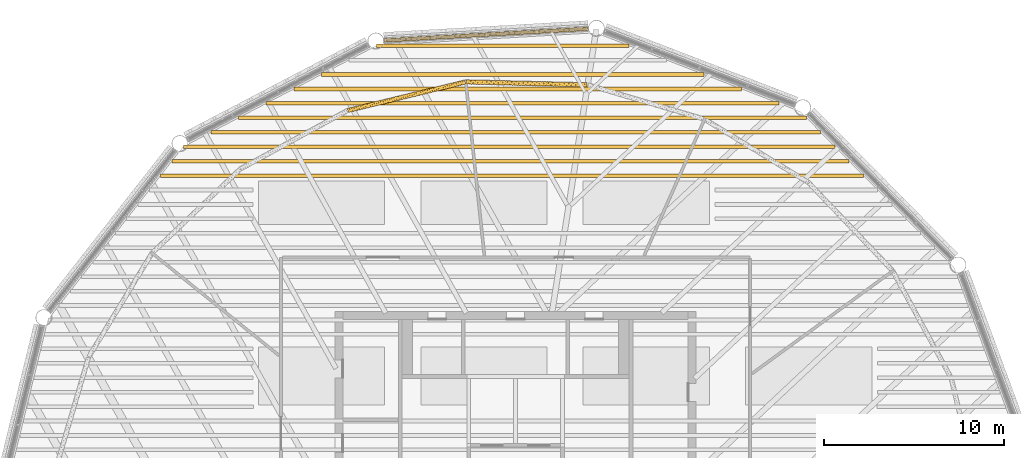
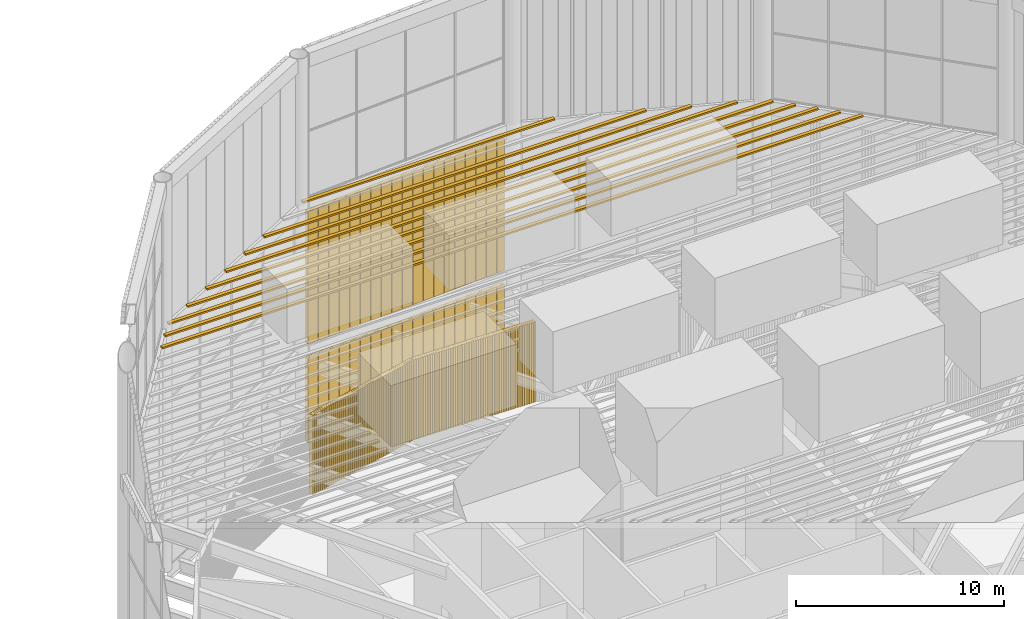
# One storey, part 105 of 117: 11 shading devices, 2 coverings.
"""IFC4 building model written with IfcOpenShell, lengths in metres."""

from ifc_helpers import new_model, si_unit, direction, frame, frame_2d, origin, origin_2d, place, context, subcontext, project, spatial, rectangle, composite_profile, extrude, material, type_object, element, save


model = new_model("IFC4")

# Units and contexts
model_context = context("Model", 3, precision=1e-05, world=origin(), true_north=direction((0.0, 1.0)))
body_context = subcontext(model_context, "Body", "Model", "MODEL_VIEW")
ifc_project = project(units=[si_unit("LENGTHUNIT", "METRE"), si_unit("AREAUNIT", "SQUARE_METRE"), si_unit("VOLUMEUNIT", "CUBIC_METRE"), si_unit("PLANEANGLEUNIT", "RADIAN"), si_unit("MASSUNIT", "GRAM", prefix="KILO")], contexts=[model_context])

# Site, building, storey
site_placement = place(None, origin())
site = spatial("IfcSite", under=ifc_project, at=site_placement, CompositionType="ELEMENT")
building_placement = place(site_placement, origin())
building = spatial("IfcBuilding", under=site, at=building_placement, Name="Tarsis Ring Headquarters", CompositionType="ELEMENT")
storey_placement = place(building_placement, frame((0.0, 0.0, 403.60009765625)))
storey = spatial("IfcBuildingStorey", under=building, at=storey_placement, Name="L95", CompositionType="ELEMENT", Elevation=403.60009765625)

# Coverings
ifc_material_1 = material(Name="Terracotta louvre", Category="masonry")
covering_type = type_object("IfcCoveringType", Name="Crown louvre fin", PredefinedType="CLADDING", material=ifc_material_1)
covering_1_placement = place(storey_placement, frame((4.02783203125, 28.674072265625, 0.0), z_axis=(0.0, 0.0, 1.0), x_axis=(-0.998341518049, -0.05740070647, 0.0)))
element("IfcCovering", 1, at=covering_1_placement, inside=storey, type_object=covering_type, Name="Crown louvre base 10", PredefinedType="CLADDING", context=body_context, shape_type="SweptSolid", body=[
    extrude(composite_profile([rectangle(XDim=0.14501953125, YDim=0.199951171875, at=frame_2d((0.072509765625, 0.0))), rectangle(XDim=0.14501953125, YDim=0.199951171875, at=frame_2d((0.2236328125, 0.0))), rectangle(XDim=0.14501953125, YDim=0.199951171875, at=frame_2d((0.375, 0.0))), rectangle(XDim=0.14501953125, YDim=0.199951171875, at=frame_2d((0.526123046875, 0.0))), rectangle(XDim=0.14501953125, YDim=0.199951171875, at=frame_2d((0.677490234375, 0.0))), rectangle(XDim=0.14501953125, YDim=0.199951171875, at=frame_2d((0.82861328125, 0.0))), rectangle(XDim=0.14501953125, YDim=0.199951171875, at=frame_2d((0.979736328125, 0.0))), rectangle(XDim=0.14501953125, YDim=0.199951171875, at=frame_2d((1.131103515625, 0.0))), rectangle(XDim=0.14501953125, YDim=0.199951171875, at=frame_2d((1.2822265625, 0.0))), rectangle(XDim=0.14501953125, YDim=0.199951171875, at=frame_2d((1.433349609375, 0.0))), rectangle(XDim=0.14501953125, YDim=0.199951171875, at=frame_2d((1.584716796875, 0.0))), rectangle(XDim=0.14501953125, YDim=0.199951171875, at=frame_2d((1.73583984375, 0.0))), rectangle(XDim=0.14501953125, YDim=0.199951171875, at=frame_2d((1.88720703125, 0.0))), rectangle(XDim=0.14501953125, YDim=0.199951171875, at=frame_2d((2.038330078125, 0.0))), rectangle(XDim=0.14501953125, YDim=0.199951171875, at=frame_2d((2.189453125, 0.0))), rectangle(XDim=0.14501953125, YDim=0.199951171875, at=frame_2d((2.3408203125, 0.0))), rectangle(XDim=0.14501953125, YDim=0.199951171875, at=frame_2d((2.491943359375, 0.0))), rectangle(XDim=0.14501953125, YDim=0.199951171875, at=frame_2d((2.64306640625, 0.0))), rectangle(XDim=0.14501953125, YDim=0.199951171875, at=frame_2d((2.79443359375, 0.0))), rectangle(XDim=0.14501953125, YDim=0.199951171875, at=frame_2d((2.945556640625, 0.0))), rectangle(XDim=0.14501953125, YDim=0.199951171875, at=frame_2d((3.096923828125, 0.0))), rectangle(XDim=0.14501953125, YDim=0.199951171875, at=frame_2d((3.248046875, 0.0))), rectangle(XDim=0.14501953125, YDim=0.199951171875, at=frame_2d((3.399169921875, 0.0))), rectangle(XDim=0.14501953125, YDim=0.199951171875, at=frame_2d((3.550537109375, 0.0))), rectangle(XDim=0.14501953125, YDim=0.199951171875, at=frame_2d((3.70166015625, 0.0))), rectangle(XDim=0.14501953125, YDim=0.199951171875, at=frame_2d((3.852783203125, 0.0))), rectangle(XDim=0.14501953125, YDim=0.199951171875, at=frame_2d((4.004150390625, 0.0))), rectangle(XDim=0.14501953125, YDim=0.199951171875, at=frame_2d((4.1552734375, 0.0))), rectangle(XDim=0.14501953125, YDim=0.199951171875, at=frame_2d((4.306640625, 0.0))), rectangle(XDim=0.14501953125, YDim=0.199951171875, at=frame_2d((4.457763671875, 0.0))), rectangle(XDim=0.14501953125, YDim=0.199951171875, at=frame_2d((4.60888671875, 0.0))), rectangle(XDim=0.14501953125, YDim=0.199951171875, at=frame_2d((4.76025390625, 0.0))), rectangle(XDim=0.14501953125, YDim=0.199951171875, at=frame_2d((4.911376953125, 0.0))), rectangle(XDim=0.14501953125, YDim=0.199951171875, at=frame_2d((5.0625, 0.0))), rectangle(XDim=0.14501953125, YDim=0.199951171875, at=frame_2d((5.2138671875, 0.0))), rectangle(XDim=0.14501953125, YDim=0.199951171875, at=frame_2d((5.364990234375, 0.0))), rectangle(XDim=0.14501953125, YDim=0.199951171875, at=frame_2d((5.516357421875, 0.0))), rectangle(XDim=0.14501953125, YDim=0.199951171875, at=frame_2d((5.66748046875, 0.0))), rectangle(XDim=0.14501953125, YDim=0.199951171875, at=frame_2d((5.818603515625, 0.0))), rectangle(XDim=0.14501953125, YDim=0.199951171875, at=frame_2d((5.969970703125, 0.0))), rectangle(XDim=0.14501953125, YDim=0.199951171875, at=frame_2d((6.12109375, 0.0))), rectangle(XDim=0.14501953125, YDim=0.199951171875, at=frame_2d((6.2724609375, 0.0))), rectangle(XDim=0.14501953125, YDim=0.199951171875, at=frame_2d((6.423583984375, 0.0))), rectangle(XDim=0.14501953125, YDim=0.199951171875, at=frame_2d((6.57470703125, 0.0))), rectangle(XDim=0.14501953125, YDim=0.199951171875, at=frame_2d((6.72607421875, 0.0))), rectangle(XDim=0.14501953125, YDim=0.199951171875, at=frame_2d((6.877197265625, 0.0))), rectangle(XDim=0.14501953125, YDim=0.199951171875, at=frame_2d((7.0283203125, 0.0))), rectangle(XDim=0.14501953125, YDim=0.199951171875, at=frame_2d((7.1796875, 0.0))), rectangle(XDim=0.14501953125, YDim=0.199951171875, at=frame_2d((7.330810546875, 0.0))), rectangle(XDim=0.14501953125, YDim=0.199951171875, at=frame_2d((7.482177734375, 0.0))), rectangle(XDim=0.14501953125, YDim=0.199951171875, at=frame_2d((7.63330078125, 0.0))), rectangle(XDim=0.14501953125, YDim=0.199951171875, at=frame_2d((7.784423828125, 0.0))), rectangle(XDim=0.14501953125, YDim=0.199951171875, at=frame_2d((7.935791015625, 0.0))), rectangle(XDim=0.14501953125, YDim=0.199951171875, at=frame_2d((8.0869140625, 0.0))), rectangle(XDim=0.14501953125, YDim=0.199951171875, at=frame_2d((8.238037109375, 0.0))), rectangle(XDim=0.14501953125, YDim=0.199951171875, at=frame_2d((8.389404296875, 0.0))), rectangle(XDim=0.14501953125, YDim=0.199951171875, at=frame_2d((8.54052734375, 0.0))), rectangle(XDim=0.14501953125, YDim=0.199951171875, at=frame_2d((8.69189453125, 0.0))), rectangle(XDim=0.14501953125, YDim=0.199951171875, at=frame_2d((8.843017578125, 0.0))), rectangle(XDim=0.14501953125, YDim=0.199951171875, at=frame_2d((8.994140625, 0.0))), rectangle(XDim=0.14501953125, YDim=0.199951171875, at=frame_2d((9.1455078125, 0.0))), rectangle(XDim=0.14501953125, YDim=0.199951171875, at=frame_2d((9.296630859375, 0.0))), rectangle(XDim=0.14501953125, YDim=0.199951171875, at=frame_2d((9.44775390625, 0.0))), rectangle(XDim=0.14501953125, YDim=0.199951171875, at=frame_2d((9.59912109375, 0.0))), rectangle(XDim=0.14501953125, YDim=0.199951171875, at=frame_2d((9.750244140625, 0.0))), rectangle(XDim=0.14501953125, YDim=0.199951171875, at=frame_2d((9.901611328125, 0.0))), rectangle(XDim=0.14501953125, YDim=0.199951171875, at=frame_2d((10.052734375, 0.0))), rectangle(XDim=0.14501953125, YDim=0.199951171875, at=frame_2d((10.203857421875, 0.0))), rectangle(XDim=0.14501953125, YDim=0.199951171875, at=frame_2d((10.355224609375, 0.0))), rectangle(XDim=0.14501953125, YDim=0.199951171875, at=frame_2d((10.50634765625, 0.0))), rectangle(XDim=0.14501953125, YDim=0.199951171875, at=frame_2d((10.657470703125, 0.0))), rectangle(XDim=0.14501953125, YDim=0.199951171875, at=frame_2d((10.808837890625, 0.0))), rectangle(XDim=0.14501953125, YDim=0.199951171875, at=frame_2d((10.9599609375, 0.0))), rectangle(XDim=0.14501953125, YDim=0.199951171875, at=frame_2d((11.111328125, 0.0))), rectangle(XDim=0.14501953125, YDim=0.199951171875, at=frame_2d((11.262451171875, 0.0)))]), origin(), (0.0, 0.0, 1.0), 5.0),
])
covering_2_placement = place(storey_placement, frame((4.02783203125, 28.674072265625, 5.7998046875), z_axis=(0.0, 0.0, 1.0), x_axis=(-0.998341518049, -0.05740070647, 0.0)))
element("IfcCovering", 2, at=covering_2_placement, inside=storey, type_object=covering_type, Name="Crown louvre L10", PredefinedType="CLADDING", context=body_context, shape_type="SweptSolid", body=[
    extrude(composite_profile([rectangle(XDim=0.14501953125, YDim=0.199951171875, at=frame_2d((0.072509765625, 0.0))), rectangle(XDim=0.14501953125, YDim=0.199951171875, at=frame_2d((0.2236328125, 0.0))), rectangle(XDim=0.14501953125, YDim=0.199951171875, at=frame_2d((0.375, 0.0))), rectangle(XDim=0.14501953125, YDim=0.199951171875, at=frame_2d((0.526123046875, 0.0))), rectangle(XDim=0.14501953125, YDim=0.199951171875, at=frame_2d((0.677490234375, 0.0))), rectangle(XDim=0.14501953125, YDim=0.199951171875, at=frame_2d((0.82861328125, 0.0))), rectangle(XDim=0.14501953125, YDim=0.199951171875, at=frame_2d((0.979736328125, 0.0))), rectangle(XDim=0.14501953125, YDim=0.199951171875, at=frame_2d((1.131103515625, 0.0))), rectangle(XDim=0.14501953125, YDim=0.199951171875, at=frame_2d((1.2822265625, 0.0))), rectangle(XDim=0.14501953125, YDim=0.199951171875, at=frame_2d((1.433349609375, 0.0))), rectangle(XDim=0.14501953125, YDim=0.199951171875, at=frame_2d((1.584716796875, 0.0))), rectangle(XDim=0.14501953125, YDim=0.199951171875, at=frame_2d((1.73583984375, 0.0))), rectangle(XDim=0.14501953125, YDim=0.199951171875, at=frame_2d((1.88720703125, 0.0))), rectangle(XDim=0.14501953125, YDim=0.199951171875, at=frame_2d((2.038330078125, 0.0))), rectangle(XDim=0.14501953125, YDim=0.199951171875, at=frame_2d((2.189453125, 0.0))), rectangle(XDim=0.14501953125, YDim=0.199951171875, at=frame_2d((2.3408203125, 0.0))), rectangle(XDim=0.14501953125, YDim=0.199951171875, at=frame_2d((2.491943359375, 0.0))), rectangle(XDim=0.14501953125, YDim=0.199951171875, at=frame_2d((2.64306640625, 0.0))), rectangle(XDim=0.14501953125, YDim=0.199951171875, at=frame_2d((2.79443359375, 0.0))), rectangle(XDim=0.14501953125, YDim=0.199951171875, at=frame_2d((2.945556640625, 0.0))), rectangle(XDim=0.14501953125, YDim=0.199951171875, at=frame_2d((3.096923828125, 0.0))), rectangle(XDim=0.14501953125, YDim=0.199951171875, at=frame_2d((3.248046875, 0.0))), rectangle(XDim=0.14501953125, YDim=0.199951171875, at=frame_2d((3.399169921875, 0.0))), rectangle(XDim=0.14501953125, YDim=0.199951171875, at=frame_2d((3.550537109375, 0.0))), rectangle(XDim=0.14501953125, YDim=0.199951171875, at=frame_2d((3.70166015625, 0.0))), rectangle(XDim=0.14501953125, YDim=0.199951171875, at=frame_2d((3.852783203125, 0.0))), rectangle(XDim=0.14501953125, YDim=0.199951171875, at=frame_2d((4.004150390625, 0.0))), rectangle(XDim=0.14501953125, YDim=0.199951171875, at=frame_2d((4.1552734375, 0.0))), rectangle(XDim=0.14501953125, YDim=0.199951171875, at=frame_2d((4.306640625, 0.0))), rectangle(XDim=0.14501953125, YDim=0.199951171875, at=frame_2d((4.457763671875, 0.0))), rectangle(XDim=0.14501953125, YDim=0.199951171875, at=frame_2d((4.60888671875, 0.0))), rectangle(XDim=0.14501953125, YDim=0.199951171875, at=frame_2d((4.76025390625, 0.0))), rectangle(XDim=0.14501953125, YDim=0.199951171875, at=frame_2d((4.911376953125, 0.0))), rectangle(XDim=0.14501953125, YDim=0.199951171875, at=frame_2d((5.0625, 0.0))), rectangle(XDim=0.14501953125, YDim=0.199951171875, at=frame_2d((5.2138671875, 0.0))), rectangle(XDim=0.14501953125, YDim=0.199951171875, at=frame_2d((5.364990234375, 0.0))), rectangle(XDim=0.14501953125, YDim=0.199951171875, at=frame_2d((5.516357421875, 0.0))), rectangle(XDim=0.14501953125, YDim=0.199951171875, at=frame_2d((5.66748046875, 0.0))), rectangle(XDim=0.14501953125, YDim=0.199951171875, at=frame_2d((5.818603515625, 0.0))), rectangle(XDim=0.14501953125, YDim=0.199951171875, at=frame_2d((5.969970703125, 0.0))), rectangle(XDim=0.14501953125, YDim=0.199951171875, at=frame_2d((6.12109375, 0.0))), rectangle(XDim=0.14501953125, YDim=0.199951171875, at=frame_2d((6.2724609375, 0.0))), rectangle(XDim=0.14501953125, YDim=0.199951171875, at=frame_2d((6.423583984375, 0.0))), rectangle(XDim=0.14501953125, YDim=0.199951171875, at=frame_2d((6.57470703125, 0.0))), rectangle(XDim=0.14501953125, YDim=0.199951171875, at=frame_2d((6.72607421875, 0.0))), rectangle(XDim=0.14501953125, YDim=0.199951171875, at=frame_2d((6.877197265625, 0.0))), rectangle(XDim=0.14501953125, YDim=0.199951171875, at=frame_2d((7.0283203125, 0.0))), rectangle(XDim=0.14501953125, YDim=0.199951171875, at=frame_2d((7.1796875, 0.0))), rectangle(XDim=0.14501953125, YDim=0.199951171875, at=frame_2d((7.330810546875, 0.0))), rectangle(XDim=0.14501953125, YDim=0.199951171875, at=frame_2d((7.482177734375, 0.0))), rectangle(XDim=0.14501953125, YDim=0.199951171875, at=frame_2d((7.63330078125, 0.0))), rectangle(XDim=0.14501953125, YDim=0.199951171875, at=frame_2d((7.784423828125, 0.0))), rectangle(XDim=0.14501953125, YDim=0.199951171875, at=frame_2d((7.935791015625, 0.0))), rectangle(XDim=0.14501953125, YDim=0.199951171875, at=frame_2d((8.0869140625, 0.0))), rectangle(XDim=0.14501953125, YDim=0.199951171875, at=frame_2d((8.238037109375, 0.0))), rectangle(XDim=0.14501953125, YDim=0.199951171875, at=frame_2d((8.389404296875, 0.0))), rectangle(XDim=0.14501953125, YDim=0.199951171875, at=frame_2d((8.54052734375, 0.0))), rectangle(XDim=0.14501953125, YDim=0.199951171875, at=frame_2d((8.69189453125, 0.0))), rectangle(XDim=0.14501953125, YDim=0.199951171875, at=frame_2d((8.843017578125, 0.0))), rectangle(XDim=0.14501953125, YDim=0.199951171875, at=frame_2d((8.994140625, 0.0))), rectangle(XDim=0.14501953125, YDim=0.199951171875, at=frame_2d((9.1455078125, 0.0))), rectangle(XDim=0.14501953125, YDim=0.199951171875, at=frame_2d((9.296630859375, 0.0))), rectangle(XDim=0.14501953125, YDim=0.199951171875, at=frame_2d((9.44775390625, 0.0))), rectangle(XDim=0.14501953125, YDim=0.199951171875, at=frame_2d((9.59912109375, 0.0))), rectangle(XDim=0.14501953125, YDim=0.199951171875, at=frame_2d((9.750244140625, 0.0))), rectangle(XDim=0.14501953125, YDim=0.199951171875, at=frame_2d((9.901611328125, 0.0))), rectangle(XDim=0.14501953125, YDim=0.199951171875, at=frame_2d((10.052734375, 0.0))), rectangle(XDim=0.14501953125, YDim=0.199951171875, at=frame_2d((10.203857421875, 0.0))), rectangle(XDim=0.14501953125, YDim=0.199951171875, at=frame_2d((10.355224609375, 0.0))), rectangle(XDim=0.14501953125, YDim=0.199951171875, at=frame_2d((10.50634765625, 0.0))), rectangle(XDim=0.14501953125, YDim=0.199951171875, at=frame_2d((10.657470703125, 0.0))), rectangle(XDim=0.14501953125, YDim=0.199951171875, at=frame_2d((10.808837890625, 0.0))), rectangle(XDim=0.14501953125, YDim=0.199951171875, at=frame_2d((10.9599609375, 0.0))), rectangle(XDim=0.14501953125, YDim=0.199951171875, at=frame_2d((11.111328125, 0.0))), rectangle(XDim=0.14501953125, YDim=0.199951171875, at=frame_2d((11.262451171875, 0.0)))]), origin(), (0.0, 0.0, 1.0), 7.800048828125),
])

# Shading devices
ifc_material_2 = material(Name="Aluminium louvre", Category="aluminium")
shading_device_type_1 = type_object("IfcShadingDeviceType", Name="Crown roof louvre blade", PredefinedType="USERDEFINED", material=ifc_material_2)
shading_device_1_placement = place(storey_placement, frame((-0.196533203125, 20.535888671875, 14.39990234375), z_axis=(0.0, 0.0, 1.0), x_axis=(1.0, 0.0, 0.0)))
element("IfcShadingDevice", 3, at=shading_device_1_placement, inside=storey, type_object=shading_device_type_1, Name="Crown roof louvre 105", ObjectType="Crown roof louvre", PredefinedType="USERDEFINED", context=body_context, shape_type="SweptSolid", body=[
    extrude(rectangle(XDim=38.948486328125, YDim=0.199951171875, at=origin_2d()), origin(), (0.0, 0.0, 1.0), 0.10009765625),
])
shading_device_2_placement = place(storey_placement, frame((-0.2783203125, 21.335693359375, 14.39990234375), z_axis=(0.0, 0.0, 1.0), x_axis=(1.0, 0.0, 0.0)))
element("IfcShadingDevice", 4, at=shading_device_2_placement, inside=storey, type_object=shading_device_type_1, Name="Crown roof louvre 106", ObjectType="Crown roof louvre", PredefinedType="USERDEFINED", context=body_context, shape_type="SweptSolid", body=[
    extrude(rectangle(XDim=37.53369140625, YDim=0.199951171875, at=origin_2d()), origin(), (0.0, 0.0, 1.0), 0.10009765625),
])
shading_device_3_placement = place(storey_placement, frame((-0.350830078125, 22.1357421875, 14.39990234375), z_axis=(0.0, 0.0, 1.0), x_axis=(1.0, 0.0, 0.0)))
element("IfcShadingDevice", 5, at=shading_device_3_placement, inside=storey, type_object=shading_device_type_1, Name="Crown roof louvre 107", ObjectType="Crown roof louvre", PredefinedType="USERDEFINED", context=body_context, shape_type="SweptSolid", body=[
    extrude(rectangle(XDim=36.1005859375, YDim=0.199951171875, at=origin_2d()), origin(), (0.0, 0.0, 1.0), 0.10009765625),
])
shading_device_4_placement = place(storey_placement, frame((0.0185546875, 22.935791015625, 14.39990234375), z_axis=(0.0, 0.0, 1.0), x_axis=(1.0, 0.0, 0.0)))
element("IfcShadingDevice", 6, at=shading_device_4_placement, inside=storey, type_object=shading_device_type_1, Name="Crown roof louvre 108", ObjectType="Crown roof louvre", PredefinedType="USERDEFINED", context=body_context, shape_type="SweptSolid", body=[
    extrude(rectangle(XDim=33.783447265625, YDim=0.199951171875, at=origin_2d()), origin(), (0.0, 0.0, 1.0), 0.10009765625),
])
shading_device_5_placement = place(storey_placement, frame((0.38818359375, 23.73583984375, 14.39990234375), z_axis=(0.0, 0.0, 1.0), x_axis=(1.0, 0.0, 0.0)))
element("IfcShadingDevice", 7, at=shading_device_5_placement, inside=storey, type_object=shading_device_type_1, Name="Crown roof louvre 109", ObjectType="Crown roof louvre", PredefinedType="USERDEFINED", context=body_context, shape_type="SweptSolid", body=[
    extrude(rectangle(XDim=31.46630859375, YDim=0.199951171875, at=origin_2d()), origin(), (0.0, 0.0, 1.0), 0.10009765625),
])
shading_device_6_placement = place(storey_placement, frame((0.3955078125, 24.535888671875, 14.39990234375), z_axis=(0.0, 0.0, 1.0), x_axis=(1.0, 0.0, 0.0)))
element("IfcShadingDevice", 8, at=shading_device_6_placement, inside=storey, type_object=shading_device_type_1, Name="Crown roof louvre 110", ObjectType="Crown roof louvre", PredefinedType="USERDEFINED", context=body_context, shape_type="SweptSolid", body=[
    extrude(rectangle(XDim=28.425048828125, YDim=0.199951171875, at=origin_2d()), origin(), (0.0, 0.0, 1.0), 0.10009765625),
])
shading_device_7_placement = place(storey_placement, frame((0.120361328125, 25.335693359375, 14.39990234375), z_axis=(0.0, 0.0, 1.0), x_axis=(1.0, 0.0, 0.0)))
element("IfcShadingDevice", 9, at=shading_device_7_placement, inside=storey, type_object=shading_device_type_1, Name="Crown roof louvre 111", ObjectType="Crown roof louvre", PredefinedType="USERDEFINED", context=body_context, shape_type="SweptSolid", body=[
    extrude(rectangle(XDim=24.818603515625, YDim=0.199951171875, at=origin_2d()), origin(), (0.0, 0.0, 1.0), 0.10009765625),
])
shading_device_8_placement = place(storey_placement, frame((-0.15478515625, 26.1357421875, 14.39990234375), z_axis=(0.0, 0.0, 1.0), x_axis=(1.0, 0.0, 0.0)))
element("IfcShadingDevice", 10, at=shading_device_8_placement, inside=storey, type_object=shading_device_type_1, Name="Crown roof louvre 112", ObjectType="Crown roof louvre", PredefinedType="USERDEFINED", context=body_context, shape_type="SweptSolid", body=[
    extrude(rectangle(XDim=21.2119140625, YDim=0.199951171875, at=origin_2d()), origin(), (0.0, 0.0, 1.0), 0.10009765625),
])
shading_device_9_placement = place(storey_placement, frame((-0.705322265625, 27.73583984375, 14.39990234375), z_axis=(0.0, 0.0, 1.0), x_axis=(1.0, 0.0, 0.0)))
element("IfcShadingDevice", 11, at=shading_device_9_placement, inside=storey, type_object=shading_device_type_1, Name="Crown roof louvre 114", ObjectType="Crown roof louvre", PredefinedType="USERDEFINED", context=body_context, shape_type="SweptSolid", body=[
    extrude(rectangle(XDim=13.998779296875, YDim=0.199951171875, at=origin_2d()), origin(), (0.0, 0.0, 1.0), 0.10009765625),
])
shading_device_type_2 = type_object("IfcShadingDeviceType", Name="Plant louvre fin", PredefinedType="USERDEFINED", material=ifc_material_2)
shading_device_10_placement = place(storey_placement, frame((3.9775390625, 25.564208984375, 0.0), z_axis=(0.0, 0.0, 1.0), x_axis=(-0.999709418474, 0.02408194399, 0.0)))
element("IfcShadingDevice", 12, at=shading_device_10_placement, inside=storey, type_object=shading_device_type_2, Name="Louvre L95-24", ObjectType="Louvre", PredefinedType="USERDEFINED", context=body_context, shape_type="SweptSolid", body=[
    extrude(composite_profile([rectangle(XDim=0.1201171875, YDim=0.239990234375, at=frame_2d((0.076171875, 0.0), x_axis=(0.990268068742, 0.13917310096))), rectangle(XDim=0.1201171875, YDim=0.239990234375, at=frame_2d((0.202392578125, 0.0), x_axis=(0.990268068742, 0.13917310096))), rectangle(XDim=0.1201171875, YDim=0.239990234375, at=frame_2d((0.328857421875, 0.0), x_axis=(0.990268068742, 0.13917310096))), rectangle(XDim=0.1201171875, YDim=0.239990234375, at=frame_2d((0.455078125, 0.0), x_axis=(0.990268068742, 0.13917310096))), rectangle(XDim=0.1201171875, YDim=0.239990234375, at=frame_2d((0.58154296875, 0.0), x_axis=(0.990268068742, 0.13917310096))), rectangle(XDim=0.1201171875, YDim=0.239990234375, at=frame_2d((0.707763671875, 0.0), x_axis=(0.990268068742, 0.13917310096))), rectangle(XDim=0.1201171875, YDim=0.239990234375, at=frame_2d((0.834228515625, 0.0), x_axis=(0.990268068742, 0.13917310096))), rectangle(XDim=0.1201171875, YDim=0.239990234375, at=frame_2d((0.96044921875, 0.0), x_axis=(0.990268068742, 0.13917310096))), rectangle(XDim=0.1201171875, YDim=0.239990234375, at=frame_2d((1.0869140625, 0.0), x_axis=(0.990268068742, 0.13917310096))), rectangle(XDim=0.1201171875, YDim=0.239990234375, at=frame_2d((1.213134765625, 0.0), x_axis=(0.990268068742, 0.13917310096))), rectangle(XDim=0.1201171875, YDim=0.239990234375, at=frame_2d((1.33935546875, 0.0), x_axis=(0.990268068742, 0.13917310096))), rectangle(XDim=0.1201171875, YDim=0.239990234375, at=frame_2d((1.4658203125, 0.0), x_axis=(0.990268068742, 0.13917310096))), rectangle(XDim=0.1201171875, YDim=0.239990234375, at=frame_2d((1.592041015625, 0.0), x_axis=(0.990268068742, 0.13917310096))), rectangle(XDim=0.1201171875, YDim=0.239990234375, at=frame_2d((1.718505859375, 0.0), x_axis=(0.990268068742, 0.13917310096))), rectangle(XDim=0.1201171875, YDim=0.239990234375, at=frame_2d((1.8447265625, 0.0), x_axis=(0.990268068742, 0.13917310096))), rectangle(XDim=0.1201171875, YDim=0.239990234375, at=frame_2d((1.97119140625, 0.0), x_axis=(0.990268068742, 0.13917310096))), rectangle(XDim=0.1201171875, YDim=0.239990234375, at=frame_2d((2.097412109375, 0.0), x_axis=(0.990268068742, 0.13917310096))), rectangle(XDim=0.1201171875, YDim=0.239990234375, at=frame_2d((2.223876953125, 0.0), x_axis=(0.990268068742, 0.13917310096))), rectangle(XDim=0.1201171875, YDim=0.239990234375, at=frame_2d((2.35009765625, 0.0), x_axis=(0.990268068742, 0.13917310096))), rectangle(XDim=0.1201171875, YDim=0.239990234375, at=frame_2d((2.476318359375, 0.0), x_axis=(0.990268068742, 0.13917310096))), rectangle(XDim=0.1201171875, YDim=0.239990234375, at=frame_2d((2.602783203125, 0.0), x_axis=(0.990268068742, 0.13917310096))), rectangle(XDim=0.1201171875, YDim=0.239990234375, at=frame_2d((2.72900390625, 0.0), x_axis=(0.990268068742, 0.13917310096))), rectangle(XDim=0.1201171875, YDim=0.239990234375, at=frame_2d((2.85546875, 0.0), x_axis=(0.990268068742, 0.13917310096))), rectangle(XDim=0.1201171875, YDim=0.239990234375, at=frame_2d((2.981689453125, 0.0), x_axis=(0.990268068742, 0.13917310096))), rectangle(XDim=0.1201171875, YDim=0.239990234375, at=frame_2d((3.108154296875, 0.0), x_axis=(0.990268068742, 0.13917310096))), rectangle(XDim=0.1201171875, YDim=0.239990234375, at=frame_2d((3.234375, 0.0), x_axis=(0.990268068742, 0.13917310096))), rectangle(XDim=0.1201171875, YDim=0.239990234375, at=frame_2d((3.36083984375, 0.0), x_axis=(0.990268068742, 0.13917310096))), rectangle(XDim=0.1201171875, YDim=0.239990234375, at=frame_2d((3.487060546875, 0.0), x_axis=(0.990268068742, 0.13917310096))), rectangle(XDim=0.1201171875, YDim=0.239990234375, at=frame_2d((3.61328125, 0.0), x_axis=(0.990268068742, 0.13917310096))), rectangle(XDim=0.1201171875, YDim=0.239990234375, at=frame_2d((3.73974609375, 0.0), x_axis=(0.990268068742, 0.13917310096))), rectangle(XDim=0.1201171875, YDim=0.239990234375, at=frame_2d((3.865966796875, 0.0), x_axis=(0.990268068742, 0.13917310096))), rectangle(XDim=0.1201171875, YDim=0.239990234375, at=frame_2d((3.992431640625, 0.0), x_axis=(0.990268068742, 0.13917310096))), rectangle(XDim=0.1201171875, YDim=0.239990234375, at=frame_2d((4.11865234375, 0.0), x_axis=(0.990268068742, 0.13917310096))), rectangle(XDim=0.1201171875, YDim=0.239990234375, at=frame_2d((4.2451171875, 0.0), x_axis=(0.990268068742, 0.13917310096))), rectangle(XDim=0.1201171875, YDim=0.239990234375, at=frame_2d((4.371337890625, 0.0), x_axis=(0.990268068742, 0.13917310096))), rectangle(XDim=0.1201171875, YDim=0.239990234375, at=frame_2d((4.49755859375, 0.0), x_axis=(0.990268068742, 0.13917310096))), rectangle(XDim=0.1201171875, YDim=0.239990234375, at=frame_2d((4.6240234375, 0.0), x_axis=(0.990268068742, 0.13917310096))), rectangle(XDim=0.1201171875, YDim=0.239990234375, at=frame_2d((4.750244140625, 0.0), x_axis=(0.990268068742, 0.13917310096))), rectangle(XDim=0.1201171875, YDim=0.239990234375, at=frame_2d((4.876708984375, 0.0), x_axis=(0.990268068742, 0.13917310096))), rectangle(XDim=0.1201171875, YDim=0.239990234375, at=frame_2d((5.0029296875, 0.0), x_axis=(0.990268068742, 0.13917310096))), rectangle(XDim=0.1201171875, YDim=0.239990234375, at=frame_2d((5.12939453125, 0.0), x_axis=(0.990268068742, 0.13917310096))), rectangle(XDim=0.1201171875, YDim=0.239990234375, at=frame_2d((5.255615234375, 0.0), x_axis=(0.990268068742, 0.13917310096))), rectangle(XDim=0.1201171875, YDim=0.239990234375, at=frame_2d((5.382080078125, 0.0), x_axis=(0.990268068742, 0.13917310096))), rectangle(XDim=0.1201171875, YDim=0.239990234375, at=frame_2d((5.50830078125, 0.0), x_axis=(0.990268068742, 0.13917310096))), rectangle(XDim=0.1201171875, YDim=0.239990234375, at=frame_2d((5.634521484375, 0.0), x_axis=(0.990268068742, 0.13917310096))), rectangle(XDim=0.1201171875, YDim=0.239990234375, at=frame_2d((5.760986328125, 0.0), x_axis=(0.990268068742, 0.13917310096))), rectangle(XDim=0.1201171875, YDim=0.239990234375, at=frame_2d((5.88720703125, 0.0), x_axis=(0.990268068742, 0.13917310096))), rectangle(XDim=0.1201171875, YDim=0.239990234375, at=frame_2d((6.013671875, 0.0), x_axis=(0.990268068742, 0.13917310096))), rectangle(XDim=0.1201171875, YDim=0.239990234375, at=frame_2d((6.139892578125, 0.0), x_axis=(0.990268068742, 0.13917310096))), rectangle(XDim=0.1201171875, YDim=0.239990234375, at=frame_2d((6.266357421875, 0.0), x_axis=(0.990268068742, 0.13917310096))), rectangle(XDim=0.1201171875, YDim=0.239990234375, at=frame_2d((6.392578125, 0.0), x_axis=(0.990268068742, 0.13917310096))), rectangle(XDim=0.1201171875, YDim=0.239990234375, at=frame_2d((6.51904296875, 0.0), x_axis=(0.990268068742, 0.13917310096))), rectangle(XDim=0.1201171875, YDim=0.239990234375, at=frame_2d((6.645263671875, 0.0), x_axis=(0.990268068742, 0.13917310096)))]), origin(), (0.0, 0.0, 1.0), 4.699951171875),
])
shading_device_11_placement = place(storey_placement, frame((-2.7744140625, 25.72265625, 0.0), z_axis=(0.0, 0.0, 1.0), x_axis=(-0.971886237332, -0.235480004359, 0.0)))
element("IfcShadingDevice", 13, at=shading_device_11_placement, inside=storey, type_object=shading_device_type_2, Name="Louvre L95-25", ObjectType="Louvre", PredefinedType="USERDEFINED", context=body_context, shape_type="SweptSolid", body=[
    extrude(composite_profile([rectangle(XDim=0.1201171875, YDim=0.239990234375, at=frame_2d((0.076171875, 0.0), x_axis=(0.990268068742, 0.13917310096))), rectangle(XDim=0.1201171875, YDim=0.239990234375, at=frame_2d((0.202392578125, 0.0), x_axis=(0.990268068742, 0.13917310096))), rectangle(XDim=0.1201171875, YDim=0.239990234375, at=frame_2d((0.328857421875, 0.0), x_axis=(0.990268068742, 0.13917310096))), rectangle(XDim=0.1201171875, YDim=0.239990234375, at=frame_2d((0.455078125, 0.0), x_axis=(0.990268068742, 0.13917310096))), rectangle(XDim=0.1201171875, YDim=0.239990234375, at=frame_2d((0.58154296875, 0.0), x_axis=(0.990268068742, 0.13917310096))), rectangle(XDim=0.1201171875, YDim=0.239990234375, at=frame_2d((0.707763671875, 0.0), x_axis=(0.990268068742, 0.13917310096))), rectangle(XDim=0.1201171875, YDim=0.239990234375, at=frame_2d((0.834228515625, 0.0), x_axis=(0.990268068742, 0.13917310096))), rectangle(XDim=0.1201171875, YDim=0.239990234375, at=frame_2d((0.96044921875, 0.0), x_axis=(0.990268068742, 0.13917310096))), rectangle(XDim=0.1201171875, YDim=0.239990234375, at=frame_2d((1.0869140625, 0.0), x_axis=(0.990268068742, 0.13917310096))), rectangle(XDim=0.1201171875, YDim=0.239990234375, at=frame_2d((1.213134765625, 0.0), x_axis=(0.990268068742, 0.13917310096))), rectangle(XDim=0.1201171875, YDim=0.239990234375, at=frame_2d((1.33935546875, 0.0), x_axis=(0.990268068742, 0.13917310096))), rectangle(XDim=0.1201171875, YDim=0.239990234375, at=frame_2d((1.4658203125, 0.0), x_axis=(0.990268068742, 0.13917310096))), rectangle(XDim=0.1201171875, YDim=0.239990234375, at=frame_2d((1.592041015625, 0.0), x_axis=(0.990268068742, 0.13917310096))), rectangle(XDim=0.1201171875, YDim=0.239990234375, at=frame_2d((1.718505859375, 0.0), x_axis=(0.990268068742, 0.13917310096))), rectangle(XDim=0.1201171875, YDim=0.239990234375, at=frame_2d((1.8447265625, 0.0), x_axis=(0.990268068742, 0.13917310096))), rectangle(XDim=0.1201171875, YDim=0.239990234375, at=frame_2d((1.97119140625, 0.0), x_axis=(0.990268068742, 0.13917310096))), rectangle(XDim=0.1201171875, YDim=0.239990234375, at=frame_2d((2.097412109375, 0.0), x_axis=(0.990268068742, 0.13917310096))), rectangle(XDim=0.1201171875, YDim=0.239990234375, at=frame_2d((2.223876953125, 0.0), x_axis=(0.990268068742, 0.13917310096))), rectangle(XDim=0.1201171875, YDim=0.239990234375, at=frame_2d((2.35009765625, 0.0), x_axis=(0.990268068742, 0.13917310096))), rectangle(XDim=0.1201171875, YDim=0.239990234375, at=frame_2d((2.476318359375, 0.0), x_axis=(0.990268068742, 0.13917310096))), rectangle(XDim=0.1201171875, YDim=0.239990234375, at=frame_2d((2.602783203125, 0.0), x_axis=(0.990268068742, 0.13917310096))), rectangle(XDim=0.1201171875, YDim=0.239990234375, at=frame_2d((2.72900390625, 0.0), x_axis=(0.990268068742, 0.13917310096))), rectangle(XDim=0.1201171875, YDim=0.239990234375, at=frame_2d((2.85546875, 0.0), x_axis=(0.990268068742, 0.13917310096))), rectangle(XDim=0.1201171875, YDim=0.239990234375, at=frame_2d((2.981689453125, 0.0), x_axis=(0.990268068742, 0.13917310096))), rectangle(XDim=0.1201171875, YDim=0.239990234375, at=frame_2d((3.108154296875, 0.0), x_axis=(0.990268068742, 0.13917310096))), rectangle(XDim=0.1201171875, YDim=0.239990234375, at=frame_2d((3.234375, 0.0), x_axis=(0.990268068742, 0.13917310096))), rectangle(XDim=0.1201171875, YDim=0.239990234375, at=frame_2d((3.36083984375, 0.0), x_axis=(0.990268068742, 0.13917310096))), rectangle(XDim=0.1201171875, YDim=0.239990234375, at=frame_2d((3.487060546875, 0.0), x_axis=(0.990268068742, 0.13917310096))), rectangle(XDim=0.1201171875, YDim=0.239990234375, at=frame_2d((3.61328125, 0.0), x_axis=(0.990268068742, 0.13917310096))), rectangle(XDim=0.1201171875, YDim=0.239990234375, at=frame_2d((3.73974609375, 0.0), x_axis=(0.990268068742, 0.13917310096))), rectangle(XDim=0.1201171875, YDim=0.239990234375, at=frame_2d((3.865966796875, 0.0), x_axis=(0.990268068742, 0.13917310096))), rectangle(XDim=0.1201171875, YDim=0.239990234375, at=frame_2d((3.992431640625, 0.0), x_axis=(0.990268068742, 0.13917310096))), rectangle(XDim=0.1201171875, YDim=0.239990234375, at=frame_2d((4.11865234375, 0.0), x_axis=(0.990268068742, 0.13917310096))), rectangle(XDim=0.1201171875, YDim=0.239990234375, at=frame_2d((4.2451171875, 0.0), x_axis=(0.990268068742, 0.13917310096))), rectangle(XDim=0.1201171875, YDim=0.239990234375, at=frame_2d((4.371337890625, 0.0), x_axis=(0.990268068742, 0.13917310096))), rectangle(XDim=0.1201171875, YDim=0.239990234375, at=frame_2d((4.49755859375, 0.0), x_axis=(0.990268068742, 0.13917310096))), rectangle(XDim=0.1201171875, YDim=0.239990234375, at=frame_2d((4.6240234375, 0.0), x_axis=(0.990268068742, 0.13917310096))), rectangle(XDim=0.1201171875, YDim=0.239990234375, at=frame_2d((4.750244140625, 0.0), x_axis=(0.990268068742, 0.13917310096))), rectangle(XDim=0.1201171875, YDim=0.239990234375, at=frame_2d((4.876708984375, 0.0), x_axis=(0.990268068742, 0.13917310096))), rectangle(XDim=0.1201171875, YDim=0.239990234375, at=frame_2d((5.0029296875, 0.0), x_axis=(0.990268068742, 0.13917310096))), rectangle(XDim=0.1201171875, YDim=0.239990234375, at=frame_2d((5.12939453125, 0.0), x_axis=(0.990268068742, 0.13917310096))), rectangle(XDim=0.1201171875, YDim=0.239990234375, at=frame_2d((5.255615234375, 0.0), x_axis=(0.990268068742, 0.13917310096))), rectangle(XDim=0.1201171875, YDim=0.239990234375, at=frame_2d((5.382080078125, 0.0), x_axis=(0.990268068742, 0.13917310096))), rectangle(XDim=0.1201171875, YDim=0.239990234375, at=frame_2d((5.50830078125, 0.0), x_axis=(0.990268068742, 0.13917310096))), rectangle(XDim=0.1201171875, YDim=0.239990234375, at=frame_2d((5.634521484375, 0.0), x_axis=(0.990268068742, 0.13917310096))), rectangle(XDim=0.1201171875, YDim=0.239990234375, at=frame_2d((5.760986328125, 0.0), x_axis=(0.990268068742, 0.13917310096))), rectangle(XDim=0.1201171875, YDim=0.239990234375, at=frame_2d((5.88720703125, 0.0), x_axis=(0.990268068742, 0.13917310096))), rectangle(XDim=0.1201171875, YDim=0.239990234375, at=frame_2d((6.013671875, 0.0), x_axis=(0.990268068742, 0.13917310096))), rectangle(XDim=0.1201171875, YDim=0.239990234375, at=frame_2d((6.139892578125, 0.0), x_axis=(0.990268068742, 0.13917310096))), rectangle(XDim=0.1201171875, YDim=0.239990234375, at=frame_2d((6.266357421875, 0.0), x_axis=(0.990268068742, 0.13917310096))), rectangle(XDim=0.1201171875, YDim=0.239990234375, at=frame_2d((6.392578125, 0.0), x_axis=(0.990268068742, 0.13917310096))), rectangle(XDim=0.1201171875, YDim=0.239990234375, at=frame_2d((6.51904296875, 0.0), x_axis=(0.990268068742, 0.13917310096))), rectangle(XDim=0.1201171875, YDim=0.239990234375, at=frame_2d((6.645263671875, 0.0), x_axis=(0.990268068742, 0.13917310096)))]), origin(), (0.0, 0.0, 1.0), 4.699951171875),
])

save(model, "model.ifc")
